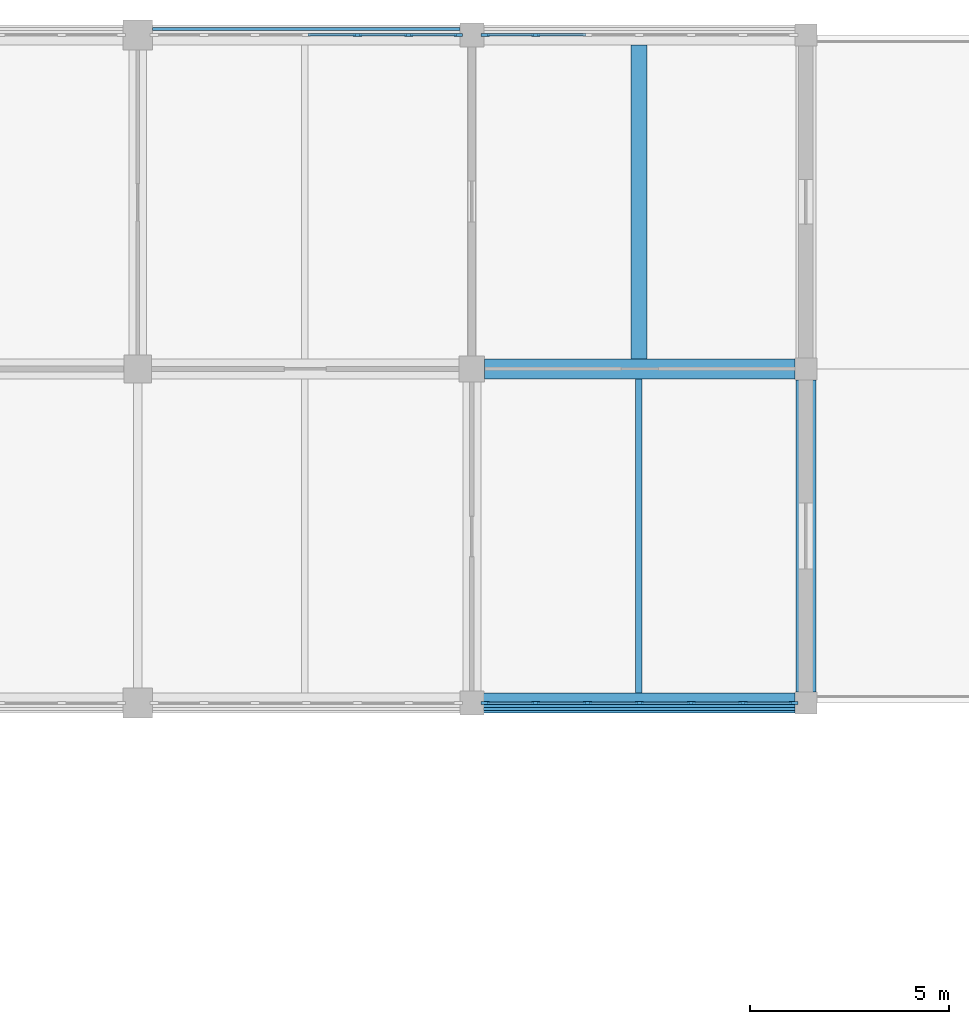
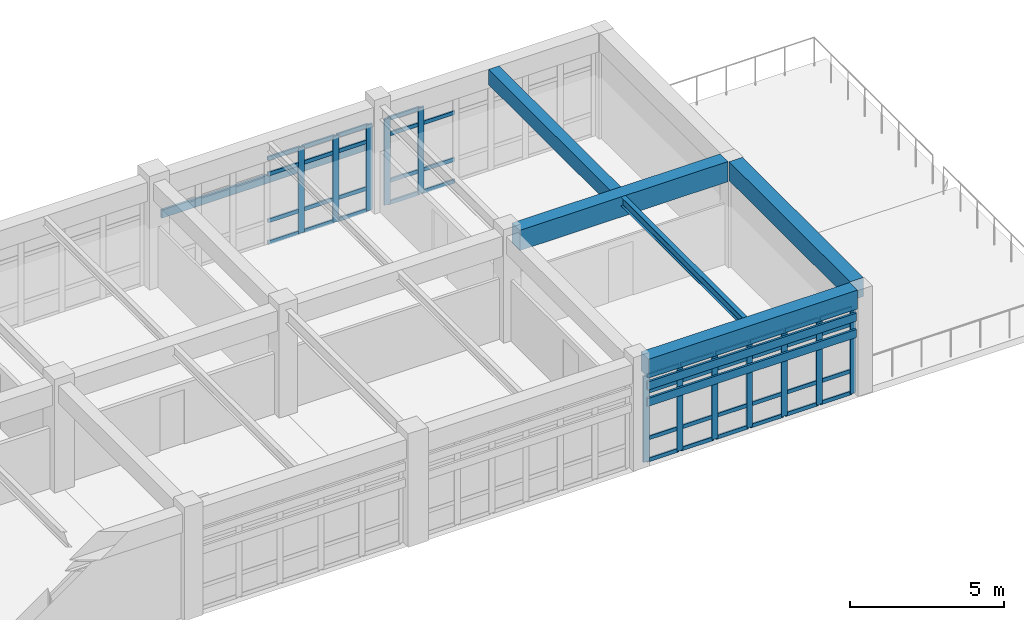
# One storey, part 56 of 99: 58 members, 5 beams, 3 elements without a shape of their own.
"""IFC4 building model written with IfcOpenShell, lengths in metres."""

from ifc_helpers import new_model, si_unit, direction, frame, origin, origin_2d, place, context, subcontext, project, spatial, rectangle, i_section, extrude, material, layer, layer_set, material_profile, profile_set, type_object, element, aggregate, save


model = new_model("IFC4")

# Units and contexts
model_context = context("Model", 3, precision=1e-05, world=origin(), true_north=direction((0.0, 1.0)))
body_context = subcontext(model_context, "Body", "Model", "MODEL_VIEW")
ifc_project = project(units=[si_unit("LENGTHUNIT", "METRE"), si_unit("AREAUNIT", "SQUARE_METRE"), si_unit("VOLUMEUNIT", "CUBIC_METRE"), si_unit("PLANEANGLEUNIT", "RADIAN"), si_unit("MASSUNIT", "GRAM", prefix="KILO")], contexts=[model_context])

# Site, building, storey
site_placement = place(None, origin())
site = spatial("IfcSite", under=ifc_project, at=site_placement, CompositionType="ELEMENT")
building_placement = place(site_placement, origin())
building = spatial("IfcBuilding", under=site, at=building_placement, Name="Porcellanite Civic Hall", CompositionType="ELEMENT")
storey_placement = place(building_placement, frame((0.0, 0.0, 5.760009765625)))
storey = spatial("IfcBuildingStorey", under=building, at=storey_placement, Name="L01", CompositionType="ELEMENT", Elevation=5.760009765625)

# Beams
ifc_material_1 = material(Name="Concrete N50 (50 MPa)", Category="concrete")
ifc_material_profile_1 = material_profile(ifc_material_1, rectangle(XDim=0.39990234375, YDim=0.60009765625, at=origin_2d()), Name="RC-400x600")
ifc_profile_set_1 = profile_set([ifc_material_profile_1], Name="Concrete N50 (50 MPa)")
beam_type_1 = type_object("IfcBeamType", Name="BM-RC600", PredefinedType="JOIST", material=ifc_profile_set_1)
beam_1_placement = place(storey_placement, frame((163.800048828125, 109.449462890625, 3.89990234375), z_axis=(0.0, 1.0, 0.0), x_axis=(-1.0, 0.0, 0.0)))
element("IfcBeam", 1, at=beam_1_placement, inside=storey, type_object=beam_type_1, Name="Secondary joist L01 20-14", PredefinedType="JOIST", context=body_context, shape_type="SweptSolid", body=[
    extrude(rectangle(XDim=0.39990234375, YDim=0.60009765625, at=origin_2d()), origin(), (0.0, 0.0, 1.0), 7.901123046875),
])
ifc_material_2 = material(Name="Concrete N50 (50 MPa)", Category="concrete")
ifc_material_profile_2 = material_profile(ifc_material_2, rectangle(XDim=0.5, YDim=0.75, at=origin_2d()), Name="RC-500x750")
ifc_profile_set_2 = profile_set([ifc_material_profile_2], Name="Concrete N50 (50 MPa)")
beam_type_2 = type_object("IfcBeamType", Name="BM-RC750", PredefinedType="SPANDREL", material=ifc_profile_set_2)
beam_2_placement = place(storey_placement, frame((159.8994140625, 100.800048828125, 3.824951171875), z_axis=(1.0, 0.0, 0.0), x_axis=(0.0, 1.0, 0.0)))
element("IfcBeam", 2, at=beam_2_placement, inside=storey, type_object=beam_type_2, Name="Beam X L01 20-13", PredefinedType="SPANDREL", context=body_context, shape_type="SweptSolid", body=[
    extrude(rectangle(XDim=0.5, YDim=0.75, at=origin_2d()), origin(), (0.0, 0.0, 1.0), 7.826171875),
])
beam_3_placement = place(storey_placement, frame((168.0, 101.074462890625, 3.824951171875), z_axis=(0.0, 1.0, 0.0), x_axis=(-1.0, 0.0, 0.0)))
element("IfcBeam", 3, at=beam_3_placement, inside=storey, type_object=beam_type_2, Name="Beam Y L01 21-13", PredefinedType="SPANDREL", context=body_context, shape_type="SweptSolid", body=[
    extrude(rectangle(XDim=0.5, YDim=0.75, at=origin_2d()), origin(), (0.0, 0.0, 1.0), 7.85107421875),
])
ifc_material_3 = material(Name="Concrete N50 (50 MPa)", Category="concrete")
ifc_material_profile_3 = material_profile(ifc_material_3, rectangle(XDim=0.5, YDim=0.800048828125, at=origin_2d()), Name="RC-500x800")
ifc_profile_set_3 = profile_set([ifc_material_profile_3], Name="Concrete N50 (50 MPa)")
beam_type_3 = type_object("IfcBeamType", Name="BM-RC800", PredefinedType="BEAM", material=ifc_profile_set_3)
beam_4_placement = place(storey_placement, frame((159.924560546875, 109.199951171875, 3.800048828125), z_axis=(1.0, 0.0, 0.0), x_axis=(0.0, 1.0, 0.0)))
element("IfcBeam", 4, at=beam_4_placement, inside=storey, type_object=beam_type_3, Name="Beam X L01 20-14", PredefinedType="BEAM", context=body_context, shape_type="SweptSolid", body=[
    extrude(rectangle(XDim=0.5, YDim=0.800048828125, at=origin_2d()), origin(), (0.0, 0.0, 1.0), 7.801025390625),
])

# Curtain wall, members
ifc_material_4 = material(Name="Anodised aluminium and solar laminated glass", Category="aluminium")
ifc_layer = layer(ifc_material_4, 0.179931640625)
ifc_layer_set = layer_set([ifc_layer], Name="Anodised aluminium and solar laminated glass")
curtain_wall_type = type_object("IfcCurtainWallType", Name="CW-SYS02", PredefinedType="NOTDEFINED", material=ifc_layer_set)
curtain_wall_1_placement = place(storey_placement, origin())
curtain_wall_1 = element("IfcCurtainWall", 5, at=curtain_wall_1_placement, inside=storey, type_object=curtain_wall_type, Name="Curtain wall CW-125", PredefinedType="NOTDEFINED")
ifc_material_5 = material(Name="Anodised aluminium 6063-T6", Category="aluminium")
ifc_material_profile_4 = material_profile(ifc_material_5, rectangle(XDim=0.074951171875, YDim=0.219970703125, at=origin_2d()), Name="AL-75x220")
ifc_profile_set_4 = profile_set([ifc_material_profile_4], Name="Anodised aluminium 6063-T6")
member_type_1 = type_object("IfcMemberType", Name="CWM-03", PredefinedType="MULLION", material=ifc_profile_set_4)
member_1_placement = place(storey_placement, frame((156.724609375, 117.60009765625, 0.0), z_axis=(0.0, 0.0, 1.0), x_axis=(0.0, 1.0, 0.0)))
member_1 = element("IfcMember", 6, at=member_1_placement, type_object=member_type_1, Name="CW-125 mullion 5", PredefinedType="MULLION", context=body_context, shape_type="SweptSolid", body=[
    extrude(rectangle(XDim=0.074951171875, YDim=0.219970703125, at=origin_2d()), origin(), (0.0, 0.0, 1.0), 3.39990234375),
])
member_2_placement = place(storey_placement, frame((158.01171875, 117.60009765625, 0.0), z_axis=(0.0, 0.0, 1.0), x_axis=(0.0, 1.0, 0.0)))
member_2 = element("IfcMember", 7, at=member_2_placement, type_object=member_type_1, Name="CW-125 mullion 6", PredefinedType="MULLION", context=body_context, shape_type="SweptSolid", body=[
    extrude(rectangle(XDim=0.074951171875, YDim=0.219970703125, at=origin_2d()), origin(), (0.0, 0.0, 1.0), 3.39990234375),
])
member_3_placement = place(storey_placement, frame((159.261474609375, 117.60009765625, 0.0), z_axis=(0.0, 0.0, 1.0), x_axis=(0.0, 1.0, 0.0)))
member_3 = element("IfcMember", 8, at=member_3_placement, type_object=member_type_1, Name="CW-125 mullion 7", PredefinedType="MULLION", context=body_context, shape_type="SweptSolid", body=[
    extrude(rectangle(XDim=0.074951171875, YDim=0.219970703125, at=origin_2d()), origin(), (0.0, 0.0, 1.0), 3.39990234375),
])

curtain_wall_2_placement = place(storey_placement, origin())
curtain_wall_2 = element("IfcCurtainWall", 9, at=curtain_wall_2_placement, inside=storey, type_object=curtain_wall_type, Name="Curtain wall CW-127", PredefinedType="NOTDEFINED")
member_4_placement = place(storey_placement, frame((167.6865234375, 100.800048828125, 0.0), z_axis=(0.0, 0.0, 1.0), x_axis=(0.0, -1.0, 0.0)))
member_4 = element("IfcMember", 10, at=member_4_placement, type_object=member_type_1, Name="CW-127 mullion 1", PredefinedType="MULLION", context=body_context, shape_type="SweptSolid", body=[
    extrude(rectangle(XDim=0.074951171875, YDim=0.219970703125, at=origin_2d()), origin(), (0.0, 0.0, 1.0), 3.39990234375),
])
member_5_placement = place(storey_placement, frame((166.420166015625, 100.800048828125, 0.0), z_axis=(0.0, 0.0, 1.0), x_axis=(0.0, -1.0, 0.0)))
member_5 = element("IfcMember", 11, at=member_5_placement, type_object=member_type_1, Name="CW-127 mullion 2", PredefinedType="MULLION", context=body_context, shape_type="SweptSolid", body=[
    extrude(rectangle(XDim=0.074951171875, YDim=0.219970703125, at=origin_2d()), origin(), (0.0, 0.0, 1.0), 3.39990234375),
])
member_6_placement = place(storey_placement, frame((165.116455078125, 100.800048828125, 0.0), z_axis=(0.0, 0.0, 1.0), x_axis=(0.0, -1.0, 0.0)))
member_6 = element("IfcMember", 12, at=member_6_placement, type_object=member_type_1, Name="CW-127 mullion 3", PredefinedType="MULLION", context=body_context, shape_type="SweptSolid", body=[
    extrude(rectangle(XDim=0.074951171875, YDim=0.219970703125, at=origin_2d()), origin(), (0.0, 0.0, 1.0), 3.39990234375),
])
member_7_placement = place(storey_placement, frame((163.8125, 100.800048828125, 0.0), z_axis=(0.0, 0.0, 1.0), x_axis=(0.0, -1.0, 0.0)))
member_7 = element("IfcMember", 13, at=member_7_placement, type_object=member_type_1, Name="CW-127 mullion 4", PredefinedType="MULLION", context=body_context, shape_type="SweptSolid", body=[
    extrude(rectangle(XDim=0.074951171875, YDim=0.219970703125, at=origin_2d()), origin(), (0.0, 0.0, 1.0), 3.39990234375),
])
member_8_placement = place(storey_placement, frame((162.508544921875, 100.800048828125, 0.0), z_axis=(0.0, 0.0, 1.0), x_axis=(0.0, -1.0, 0.0)))
member_8 = element("IfcMember", 14, at=member_8_placement, type_object=member_type_1, Name="CW-127 mullion 5", PredefinedType="MULLION", context=body_context, shape_type="SweptSolid", body=[
    extrude(rectangle(XDim=0.074951171875, YDim=0.219970703125, at=origin_2d()), origin(), (0.0, 0.0, 1.0), 3.39990234375),
])
member_9_placement = place(storey_placement, frame((161.204833984375, 100.800048828125, 0.0), z_axis=(0.0, 0.0, 1.0), x_axis=(0.0, -1.0, 0.0)))
member_9 = element("IfcMember", 15, at=member_9_placement, type_object=member_type_1, Name="CW-127 mullion 6", PredefinedType="MULLION", context=body_context, shape_type="SweptSolid", body=[
    extrude(rectangle(XDim=0.074951171875, YDim=0.219970703125, at=origin_2d()), origin(), (0.0, 0.0, 1.0), 3.39990234375),
])
member_10_placement = place(storey_placement, frame((159.9384765625, 100.800048828125, 0.0), z_axis=(0.0, 0.0, 1.0), x_axis=(0.0, -1.0, 0.0)))
member_10 = element("IfcMember", 16, at=member_10_placement, type_object=member_type_1, Name="CW-127 mullion 7", PredefinedType="MULLION", context=body_context, shape_type="SweptSolid", body=[
    extrude(rectangle(XDim=0.074951171875, YDim=0.219970703125, at=origin_2d()), origin(), (0.0, 0.0, 1.0), 3.39990234375),
])

curtain_wall_3_placement = place(storey_placement, origin())
curtain_wall_3 = element("IfcCurtainWall", 17, at=curtain_wall_3_placement, inside=storey, type_object=curtain_wall_type, Name="Curtain wall CW-128", PredefinedType="NOTDEFINED")
member_11_placement = place(storey_placement, frame((159.9384765625, 117.60009765625, 0.0), z_axis=(0.0, 0.0, 1.0), x_axis=(0.0, 1.0, 0.0)))
member_11 = element("IfcMember", 18, at=member_11_placement, type_object=member_type_1, Name="CW-128 mullion 1", PredefinedType="MULLION", context=body_context, shape_type="SweptSolid", body=[
    extrude(rectangle(XDim=0.074951171875, YDim=0.219970703125, at=origin_2d()), origin(), (0.0, 0.0, 1.0), 3.39990234375),
])
member_12_placement = place(storey_placement, frame((161.204833984375, 117.60009765625, 0.0), z_axis=(0.0, 0.0, 1.0), x_axis=(0.0, 1.0, 0.0)))
member_12 = element("IfcMember", 19, at=member_12_placement, type_object=member_type_1, Name="CW-128 mullion 2", PredefinedType="MULLION", context=body_context, shape_type="SweptSolid", body=[
    extrude(rectangle(XDim=0.074951171875, YDim=0.219970703125, at=origin_2d()), origin(), (0.0, 0.0, 1.0), 3.39990234375),
])

# Member
ifc_material_6 = material(Name="Anodised aluminium 6063-T6", Category="aluminium")
ifc_material_profile_5 = material_profile(ifc_material_6, rectangle(XDim=0.06494140625, YDim=0.14990234375, at=origin_2d()), Name="AL-65x150")
ifc_profile_set_5 = profile_set([ifc_material_profile_5], Name="Anodised aluminium 6063-T6")
member_type_2 = type_object("IfcMemberType", Name="CWT-02", PredefinedType="USERDEFINED", material=ifc_profile_set_5)
member_13_placement = place(storey_placement, frame((155.47509765625, 117.60009765625, 0.032470703125), z_axis=(1.0, 0.0, 0.0), x_axis=(0.0, 1.0, 0.0)))
member_13 = element("IfcMember", 20, at=member_13_placement, type_object=member_type_2, Name="CW-125 transom 4.1", ObjectType="TRANSOM", PredefinedType="USERDEFINED", context=body_context, shape_type="SweptSolid", body=[
    extrude(rectangle(XDim=0.06494140625, YDim=0.14990234375, at=origin_2d()), origin(), (0.0, 0.0, 1.0), 1.212158203125),
])

member_14_placement = place(storey_placement, frame((155.47509765625, 117.60009765625, 0.89990234375), z_axis=(1.0, 0.0, 0.0), x_axis=(0.0, 1.0, 0.0)))
member_14 = element("IfcMember", 21, at=member_14_placement, type_object=member_type_2, Name="CW-125 transom 4.2", ObjectType="TRANSOM", PredefinedType="USERDEFINED", context=body_context, shape_type="SweptSolid", body=[
    extrude(rectangle(XDim=0.06494140625, YDim=0.14990234375, at=origin_2d()), origin(), (0.0, 0.0, 1.0), 1.212158203125),
])

member_15_placement = place(storey_placement, frame((155.47509765625, 117.60009765625, 2.75), z_axis=(1.0, 0.0, 0.0), x_axis=(0.0, 1.0, 0.0)))
member_15 = element("IfcMember", 22, at=member_15_placement, type_object=member_type_2, Name="CW-125 transom 4.3", ObjectType="TRANSOM", PredefinedType="USERDEFINED", context=body_context, shape_type="SweptSolid", body=[
    extrude(rectangle(XDim=0.06494140625, YDim=0.14990234375, at=origin_2d()), origin(), (0.0, 0.0, 1.0), 1.212158203125),
])

member_16_placement = place(storey_placement, frame((155.47509765625, 117.60009765625, 3.367431640625), z_axis=(1.0, 0.0, 0.0), x_axis=(0.0, 1.0, 0.0)))
member_16 = element("IfcMember", 23, at=member_16_placement, type_object=member_type_2, Name="CW-125 transom 4.4", ObjectType="TRANSOM", PredefinedType="USERDEFINED", context=body_context, shape_type="SweptSolid", body=[
    extrude(rectangle(XDim=0.06494140625, YDim=0.14990234375, at=origin_2d()), origin(), (0.0, 0.0, 1.0), 1.212158203125),
])

member_17_placement = place(storey_placement, frame((156.76220703125, 117.60009765625, 0.032470703125), z_axis=(1.0, 0.0, 0.0), x_axis=(0.0, 1.0, 0.0)))
member_17 = element("IfcMember", 24, at=member_17_placement, type_object=member_type_2, Name="CW-125 transom 5.1", ObjectType="TRANSOM", PredefinedType="USERDEFINED", context=body_context, shape_type="SweptSolid", body=[
    extrude(rectangle(XDim=0.06494140625, YDim=0.14990234375, at=origin_2d()), origin(), (0.0, 0.0, 1.0), 1.212158203125),
])

member_18_placement = place(storey_placement, frame((156.76220703125, 117.60009765625, 0.89990234375), z_axis=(1.0, 0.0, 0.0), x_axis=(0.0, 1.0, 0.0)))
member_18 = element("IfcMember", 25, at=member_18_placement, type_object=member_type_2, Name="CW-125 transom 5.2", ObjectType="TRANSOM", PredefinedType="USERDEFINED", context=body_context, shape_type="SweptSolid", body=[
    extrude(rectangle(XDim=0.06494140625, YDim=0.14990234375, at=origin_2d()), origin(), (0.0, 0.0, 1.0), 1.212158203125),
])

member_19_placement = place(storey_placement, frame((156.76220703125, 117.60009765625, 2.75), z_axis=(1.0, 0.0, 0.0), x_axis=(0.0, 1.0, 0.0)))
member_19 = element("IfcMember", 26, at=member_19_placement, type_object=member_type_2, Name="CW-125 transom 5.3", ObjectType="TRANSOM", PredefinedType="USERDEFINED", context=body_context, shape_type="SweptSolid", body=[
    extrude(rectangle(XDim=0.06494140625, YDim=0.14990234375, at=origin_2d()), origin(), (0.0, 0.0, 1.0), 1.212158203125),
])

member_20_placement = place(storey_placement, frame((156.76220703125, 117.60009765625, 3.367431640625), z_axis=(1.0, 0.0, 0.0), x_axis=(0.0, 1.0, 0.0)))
member_20 = element("IfcMember", 27, at=member_20_placement, type_object=member_type_2, Name="CW-125 transom 5.4", ObjectType="TRANSOM", PredefinedType="USERDEFINED", context=body_context, shape_type="SweptSolid", body=[
    extrude(rectangle(XDim=0.06494140625, YDim=0.14990234375, at=origin_2d()), origin(), (0.0, 0.0, 1.0), 1.212158203125),
])

member_21_placement = place(storey_placement, frame((158.04931640625, 117.60009765625, 0.032470703125), z_axis=(1.0, 0.0, 0.0), x_axis=(0.0, 1.0, 0.0)))
member_21 = element("IfcMember", 28, at=member_21_placement, type_object=member_type_2, Name="CW-125 transom 6.1", ObjectType="TRANSOM", PredefinedType="USERDEFINED", context=body_context, shape_type="SweptSolid", body=[
    extrude(rectangle(XDim=0.06494140625, YDim=0.14990234375, at=origin_2d()), origin(), (0.0, 0.0, 1.0), 1.1748046875),
])

member_22_placement = place(storey_placement, frame((158.04931640625, 117.60009765625, 0.89990234375), z_axis=(1.0, 0.0, 0.0), x_axis=(0.0, 1.0, 0.0)))
member_22 = element("IfcMember", 29, at=member_22_placement, type_object=member_type_2, Name="CW-125 transom 6.2", ObjectType="TRANSOM", PredefinedType="USERDEFINED", context=body_context, shape_type="SweptSolid", body=[
    extrude(rectangle(XDim=0.06494140625, YDim=0.14990234375, at=origin_2d()), origin(), (0.0, 0.0, 1.0), 1.1748046875),
])

member_23_placement = place(storey_placement, frame((158.04931640625, 117.60009765625, 2.75), z_axis=(1.0, 0.0, 0.0), x_axis=(0.0, 1.0, 0.0)))
member_23 = element("IfcMember", 30, at=member_23_placement, type_object=member_type_2, Name="CW-125 transom 6.3", ObjectType="TRANSOM", PredefinedType="USERDEFINED", context=body_context, shape_type="SweptSolid", body=[
    extrude(rectangle(XDim=0.06494140625, YDim=0.14990234375, at=origin_2d()), origin(), (0.0, 0.0, 1.0), 1.1748046875),
])

member_24_placement = place(storey_placement, frame((158.04931640625, 117.60009765625, 3.367431640625), z_axis=(1.0, 0.0, 0.0), x_axis=(0.0, 1.0, 0.0)))
member_24 = element("IfcMember", 31, at=member_24_placement, type_object=member_type_2, Name="CW-125 transom 6.4", ObjectType="TRANSOM", PredefinedType="USERDEFINED", context=body_context, shape_type="SweptSolid", body=[
    extrude(rectangle(XDim=0.06494140625, YDim=0.14990234375, at=origin_2d()), origin(), (0.0, 0.0, 1.0), 1.1748046875),
])

aggregate(curtain_wall_1, [member_1, member_2, member_3, member_13, member_14, member_15, member_16, member_17, member_18, member_19, member_20, member_21, member_22, member_23, member_24])

member_25_placement = place(storey_placement, frame((167.64892578125, 100.800048828125, 0.032470703125), z_axis=(-1.0, 0.0, 0.0), x_axis=(0.0, -1.0, 0.0)))
member_25 = element("IfcMember", 32, at=member_25_placement, type_object=member_type_2, Name="CW-127 transom 1.1", ObjectType="TRANSOM", PredefinedType="USERDEFINED", context=body_context, shape_type="SweptSolid", body=[
    extrude(rectangle(XDim=0.06494140625, YDim=0.14990234375, at=origin_2d()), origin(), (0.0, 0.0, 1.0), 1.191162109375),
])

member_26_placement = place(storey_placement, frame((167.64892578125, 100.800048828125, 0.89990234375), z_axis=(-1.0, 0.0, 0.0), x_axis=(0.0, -1.0, 0.0)))
member_26 = element("IfcMember", 33, at=member_26_placement, type_object=member_type_2, Name="CW-127 transom 1.2", ObjectType="TRANSOM", PredefinedType="USERDEFINED", context=body_context, shape_type="SweptSolid", body=[
    extrude(rectangle(XDim=0.06494140625, YDim=0.14990234375, at=origin_2d()), origin(), (0.0, 0.0, 1.0), 1.191162109375),
])

member_27_placement = place(storey_placement, frame((167.64892578125, 100.800048828125, 2.75), z_axis=(-1.0, 0.0, 0.0), x_axis=(0.0, -1.0, 0.0)))
member_27 = element("IfcMember", 34, at=member_27_placement, type_object=member_type_2, Name="CW-127 transom 1.3", ObjectType="TRANSOM", PredefinedType="USERDEFINED", context=body_context, shape_type="SweptSolid", body=[
    extrude(rectangle(XDim=0.06494140625, YDim=0.14990234375, at=origin_2d()), origin(), (0.0, 0.0, 1.0), 1.191162109375),
])

member_28_placement = place(storey_placement, frame((167.64892578125, 100.800048828125, 3.367431640625), z_axis=(-1.0, 0.0, 0.0), x_axis=(0.0, -1.0, 0.0)))
member_28 = element("IfcMember", 35, at=member_28_placement, type_object=member_type_2, Name="CW-127 transom 1.4", ObjectType="TRANSOM", PredefinedType="USERDEFINED", context=body_context, shape_type="SweptSolid", body=[
    extrude(rectangle(XDim=0.06494140625, YDim=0.14990234375, at=origin_2d()), origin(), (0.0, 0.0, 1.0), 1.191162109375),
])

member_29_placement = place(storey_placement, frame((166.382568359375, 100.800048828125, 0.032470703125), z_axis=(-1.0, 0.0, 0.0), x_axis=(0.0, -1.0, 0.0)))
member_29 = element("IfcMember", 36, at=member_29_placement, type_object=member_type_2, Name="CW-127 transom 2.1", ObjectType="TRANSOM", PredefinedType="USERDEFINED", context=body_context, shape_type="SweptSolid", body=[
    extrude(rectangle(XDim=0.06494140625, YDim=0.14990234375, at=origin_2d()), origin(), (0.0, 0.0, 1.0), 1.228759765625),
])

member_30_placement = place(storey_placement, frame((166.382568359375, 100.800048828125, 0.89990234375), z_axis=(-1.0, 0.0, 0.0), x_axis=(0.0, -1.0, 0.0)))
member_30 = element("IfcMember", 37, at=member_30_placement, type_object=member_type_2, Name="CW-127 transom 2.2", ObjectType="TRANSOM", PredefinedType="USERDEFINED", context=body_context, shape_type="SweptSolid", body=[
    extrude(rectangle(XDim=0.06494140625, YDim=0.14990234375, at=origin_2d()), origin(), (0.0, 0.0, 1.0), 1.228759765625),
])

member_31_placement = place(storey_placement, frame((166.382568359375, 100.800048828125, 2.75), z_axis=(-1.0, 0.0, 0.0), x_axis=(0.0, -1.0, 0.0)))
member_31 = element("IfcMember", 38, at=member_31_placement, type_object=member_type_2, Name="CW-127 transom 2.3", ObjectType="TRANSOM", PredefinedType="USERDEFINED", context=body_context, shape_type="SweptSolid", body=[
    extrude(rectangle(XDim=0.06494140625, YDim=0.14990234375, at=origin_2d()), origin(), (0.0, 0.0, 1.0), 1.228759765625),
])

member_32_placement = place(storey_placement, frame((166.382568359375, 100.800048828125, 3.367431640625), z_axis=(-1.0, 0.0, 0.0), x_axis=(0.0, -1.0, 0.0)))
member_32 = element("IfcMember", 39, at=member_32_placement, type_object=member_type_2, Name="CW-127 transom 2.4", ObjectType="TRANSOM", PredefinedType="USERDEFINED", context=body_context, shape_type="SweptSolid", body=[
    extrude(rectangle(XDim=0.06494140625, YDim=0.14990234375, at=origin_2d()), origin(), (0.0, 0.0, 1.0), 1.228759765625),
])

member_33_placement = place(storey_placement, frame((165.078857421875, 100.800048828125, 0.032470703125), z_axis=(-1.0, 0.0, 0.0), x_axis=(0.0, -1.0, 0.0)))
member_33 = element("IfcMember", 40, at=member_33_placement, type_object=member_type_2, Name="CW-127 transom 3.1", ObjectType="TRANSOM", PredefinedType="USERDEFINED", context=body_context, shape_type="SweptSolid", body=[
    extrude(rectangle(XDim=0.06494140625, YDim=0.14990234375, at=origin_2d()), origin(), (0.0, 0.0, 1.0), 1.228759765625),
])

member_34_placement = place(storey_placement, frame((165.078857421875, 100.800048828125, 0.89990234375), z_axis=(-1.0, 0.0, 0.0), x_axis=(0.0, -1.0, 0.0)))
member_34 = element("IfcMember", 41, at=member_34_placement, type_object=member_type_2, Name="CW-127 transom 3.2", ObjectType="TRANSOM", PredefinedType="USERDEFINED", context=body_context, shape_type="SweptSolid", body=[
    extrude(rectangle(XDim=0.06494140625, YDim=0.14990234375, at=origin_2d()), origin(), (0.0, 0.0, 1.0), 1.228759765625),
])

member_35_placement = place(storey_placement, frame((165.078857421875, 100.800048828125, 2.75), z_axis=(-1.0, 0.0, 0.0), x_axis=(0.0, -1.0, 0.0)))
member_35 = element("IfcMember", 42, at=member_35_placement, type_object=member_type_2, Name="CW-127 transom 3.3", ObjectType="TRANSOM", PredefinedType="USERDEFINED", context=body_context, shape_type="SweptSolid", body=[
    extrude(rectangle(XDim=0.06494140625, YDim=0.14990234375, at=origin_2d()), origin(), (0.0, 0.0, 1.0), 1.228759765625),
])

member_36_placement = place(storey_placement, frame((165.078857421875, 100.800048828125, 3.367431640625), z_axis=(-1.0, 0.0, 0.0), x_axis=(0.0, -1.0, 0.0)))
member_36 = element("IfcMember", 43, at=member_36_placement, type_object=member_type_2, Name="CW-127 transom 3.4", ObjectType="TRANSOM", PredefinedType="USERDEFINED", context=body_context, shape_type="SweptSolid", body=[
    extrude(rectangle(XDim=0.06494140625, YDim=0.14990234375, at=origin_2d()), origin(), (0.0, 0.0, 1.0), 1.228759765625),
])

member_37_placement = place(storey_placement, frame((163.77490234375, 100.800048828125, 0.032470703125), z_axis=(-1.0, 0.0, 0.0), x_axis=(0.0, -1.0, 0.0)))
member_37 = element("IfcMember", 44, at=member_37_placement, type_object=member_type_2, Name="CW-127 transom 4.1", ObjectType="TRANSOM", PredefinedType="USERDEFINED", context=body_context, shape_type="SweptSolid", body=[
    extrude(rectangle(XDim=0.06494140625, YDim=0.14990234375, at=origin_2d()), origin(), (0.0, 0.0, 1.0), 1.228759765625),
])

member_38_placement = place(storey_placement, frame((163.77490234375, 100.800048828125, 0.89990234375), z_axis=(-1.0, 0.0, 0.0), x_axis=(0.0, -1.0, 0.0)))
member_38 = element("IfcMember", 45, at=member_38_placement, type_object=member_type_2, Name="CW-127 transom 4.2", ObjectType="TRANSOM", PredefinedType="USERDEFINED", context=body_context, shape_type="SweptSolid", body=[
    extrude(rectangle(XDim=0.06494140625, YDim=0.14990234375, at=origin_2d()), origin(), (0.0, 0.0, 1.0), 1.228759765625),
])

member_39_placement = place(storey_placement, frame((163.77490234375, 100.800048828125, 2.75), z_axis=(-1.0, 0.0, 0.0), x_axis=(0.0, -1.0, 0.0)))
member_39 = element("IfcMember", 46, at=member_39_placement, type_object=member_type_2, Name="CW-127 transom 4.3", ObjectType="TRANSOM", PredefinedType="USERDEFINED", context=body_context, shape_type="SweptSolid", body=[
    extrude(rectangle(XDim=0.06494140625, YDim=0.14990234375, at=origin_2d()), origin(), (0.0, 0.0, 1.0), 1.228759765625),
])

member_40_placement = place(storey_placement, frame((163.77490234375, 100.800048828125, 3.367431640625), z_axis=(-1.0, 0.0, 0.0), x_axis=(0.0, -1.0, 0.0)))
member_40 = element("IfcMember", 47, at=member_40_placement, type_object=member_type_2, Name="CW-127 transom 4.4", ObjectType="TRANSOM", PredefinedType="USERDEFINED", context=body_context, shape_type="SweptSolid", body=[
    extrude(rectangle(XDim=0.06494140625, YDim=0.14990234375, at=origin_2d()), origin(), (0.0, 0.0, 1.0), 1.228759765625),
])

member_41_placement = place(storey_placement, frame((162.47119140625, 100.800048828125, 0.032470703125), z_axis=(-1.0, 0.0, 0.0), x_axis=(0.0, -1.0, 0.0)))
member_41 = element("IfcMember", 48, at=member_41_placement, type_object=member_type_2, Name="CW-127 transom 5.1", ObjectType="TRANSOM", PredefinedType="USERDEFINED", context=body_context, shape_type="SweptSolid", body=[
    extrude(rectangle(XDim=0.06494140625, YDim=0.14990234375, at=origin_2d()), origin(), (0.0, 0.0, 1.0), 1.228759765625),
])

member_42_placement = place(storey_placement, frame((162.47119140625, 100.800048828125, 0.89990234375), z_axis=(-1.0, 0.0, 0.0), x_axis=(0.0, -1.0, 0.0)))
member_42 = element("IfcMember", 49, at=member_42_placement, type_object=member_type_2, Name="CW-127 transom 5.2", ObjectType="TRANSOM", PredefinedType="USERDEFINED", context=body_context, shape_type="SweptSolid", body=[
    extrude(rectangle(XDim=0.06494140625, YDim=0.14990234375, at=origin_2d()), origin(), (0.0, 0.0, 1.0), 1.228759765625),
])

member_43_placement = place(storey_placement, frame((162.47119140625, 100.800048828125, 2.75), z_axis=(-1.0, 0.0, 0.0), x_axis=(0.0, -1.0, 0.0)))
member_43 = element("IfcMember", 50, at=member_43_placement, type_object=member_type_2, Name="CW-127 transom 5.3", ObjectType="TRANSOM", PredefinedType="USERDEFINED", context=body_context, shape_type="SweptSolid", body=[
    extrude(rectangle(XDim=0.06494140625, YDim=0.14990234375, at=origin_2d()), origin(), (0.0, 0.0, 1.0), 1.228759765625),
])

member_44_placement = place(storey_placement, frame((162.47119140625, 100.800048828125, 3.367431640625), z_axis=(-1.0, 0.0, 0.0), x_axis=(0.0, -1.0, 0.0)))
member_44 = element("IfcMember", 51, at=member_44_placement, type_object=member_type_2, Name="CW-127 transom 5.4", ObjectType="TRANSOM", PredefinedType="USERDEFINED", context=body_context, shape_type="SweptSolid", body=[
    extrude(rectangle(XDim=0.06494140625, YDim=0.14990234375, at=origin_2d()), origin(), (0.0, 0.0, 1.0), 1.228759765625),
])

member_45_placement = place(storey_placement, frame((161.167236328125, 100.800048828125, 0.032470703125), z_axis=(-1.0, 0.0, 0.0), x_axis=(0.0, -1.0, 0.0)))
member_45 = element("IfcMember", 52, at=member_45_placement, type_object=member_type_2, Name="CW-127 transom 6.1", ObjectType="TRANSOM", PredefinedType="USERDEFINED", context=body_context, shape_type="SweptSolid", body=[
    extrude(rectangle(XDim=0.06494140625, YDim=0.14990234375, at=origin_2d()), origin(), (0.0, 0.0, 1.0), 1.191162109375),
])

member_46_placement = place(storey_placement, frame((161.167236328125, 100.800048828125, 0.89990234375), z_axis=(-1.0, 0.0, 0.0), x_axis=(0.0, -1.0, 0.0)))
member_46 = element("IfcMember", 53, at=member_46_placement, type_object=member_type_2, Name="CW-127 transom 6.2", ObjectType="TRANSOM", PredefinedType="USERDEFINED", context=body_context, shape_type="SweptSolid", body=[
    extrude(rectangle(XDim=0.06494140625, YDim=0.14990234375, at=origin_2d()), origin(), (0.0, 0.0, 1.0), 1.191162109375),
])

member_47_placement = place(storey_placement, frame((161.167236328125, 100.800048828125, 2.75), z_axis=(-1.0, 0.0, 0.0), x_axis=(0.0, -1.0, 0.0)))
member_47 = element("IfcMember", 54, at=member_47_placement, type_object=member_type_2, Name="CW-127 transom 6.3", ObjectType="TRANSOM", PredefinedType="USERDEFINED", context=body_context, shape_type="SweptSolid", body=[
    extrude(rectangle(XDim=0.06494140625, YDim=0.14990234375, at=origin_2d()), origin(), (0.0, 0.0, 1.0), 1.191162109375),
])

member_48_placement = place(storey_placement, frame((161.167236328125, 100.800048828125, 3.367431640625), z_axis=(-1.0, 0.0, 0.0), x_axis=(0.0, -1.0, 0.0)))
member_48 = element("IfcMember", 55, at=member_48_placement, type_object=member_type_2, Name="CW-127 transom 6.4", ObjectType="TRANSOM", PredefinedType="USERDEFINED", context=body_context, shape_type="SweptSolid", body=[
    extrude(rectangle(XDim=0.06494140625, YDim=0.14990234375, at=origin_2d()), origin(), (0.0, 0.0, 1.0), 1.191162109375),
])

aggregate(curtain_wall_2, [member_4, member_5, member_6, member_7, member_8, member_9, member_10, member_25, member_26, member_27, member_28, member_29, member_30, member_31, member_32, member_33, member_34, member_35, member_36, member_37, member_38, member_39, member_40, member_41, member_42, member_43, member_44, member_45, member_46, member_47, member_48])

member_49_placement = place(storey_placement, frame((159.97607421875, 117.60009765625, 0.032470703125), z_axis=(1.0, 0.0, 0.0), x_axis=(0.0, 1.0, 0.0)))
member_49 = element("IfcMember", 56, at=member_49_placement, type_object=member_type_2, Name="CW-128 transom 1.1", ObjectType="TRANSOM", PredefinedType="USERDEFINED", context=body_context, shape_type="SweptSolid", body=[
    extrude(rectangle(XDim=0.06494140625, YDim=0.14990234375, at=origin_2d()), origin(), (0.0, 0.0, 1.0), 1.191162109375),
])

member_50_placement = place(storey_placement, frame((159.97607421875, 117.60009765625, 0.89990234375), z_axis=(1.0, 0.0, 0.0), x_axis=(0.0, 1.0, 0.0)))
member_50 = element("IfcMember", 57, at=member_50_placement, type_object=member_type_2, Name="CW-128 transom 1.2", ObjectType="TRANSOM", PredefinedType="USERDEFINED", context=body_context, shape_type="SweptSolid", body=[
    extrude(rectangle(XDim=0.06494140625, YDim=0.14990234375, at=origin_2d()), origin(), (0.0, 0.0, 1.0), 1.191162109375),
])

member_51_placement = place(storey_placement, frame((159.97607421875, 117.60009765625, 2.75), z_axis=(1.0, 0.0, 0.0), x_axis=(0.0, 1.0, 0.0)))
member_51 = element("IfcMember", 58, at=member_51_placement, type_object=member_type_2, Name="CW-128 transom 1.3", ObjectType="TRANSOM", PredefinedType="USERDEFINED", context=body_context, shape_type="SweptSolid", body=[
    extrude(rectangle(XDim=0.06494140625, YDim=0.14990234375, at=origin_2d()), origin(), (0.0, 0.0, 1.0), 1.191162109375),
])

member_52_placement = place(storey_placement, frame((159.97607421875, 117.60009765625, 3.367431640625), z_axis=(1.0, 0.0, 0.0), x_axis=(0.0, 1.0, 0.0)))
member_52 = element("IfcMember", 59, at=member_52_placement, type_object=member_type_2, Name="CW-128 transom 1.4", ObjectType="TRANSOM", PredefinedType="USERDEFINED", context=body_context, shape_type="SweptSolid", body=[
    extrude(rectangle(XDim=0.06494140625, YDim=0.14990234375, at=origin_2d()), origin(), (0.0, 0.0, 1.0), 1.191162109375),
])

member_53_placement = place(storey_placement, frame((161.242431640625, 117.60009765625, 0.032470703125), z_axis=(1.0, 0.0, 0.0), x_axis=(0.0, 1.0, 0.0)))
member_53 = element("IfcMember", 60, at=member_53_placement, type_object=member_type_2, Name="CW-128 transom 2.1", ObjectType="TRANSOM", PredefinedType="USERDEFINED", context=body_context, shape_type="SweptSolid", body=[
    extrude(rectangle(XDim=0.06494140625, YDim=0.14990234375, at=origin_2d()), origin(), (0.0, 0.0, 1.0), 1.228759765625),
])

member_54_placement = place(storey_placement, frame((161.242431640625, 117.60009765625, 0.89990234375), z_axis=(1.0, 0.0, 0.0), x_axis=(0.0, 1.0, 0.0)))
member_54 = element("IfcMember", 61, at=member_54_placement, type_object=member_type_2, Name="CW-128 transom 2.2", ObjectType="TRANSOM", PredefinedType="USERDEFINED", context=body_context, shape_type="SweptSolid", body=[
    extrude(rectangle(XDim=0.06494140625, YDim=0.14990234375, at=origin_2d()), origin(), (0.0, 0.0, 1.0), 1.228759765625),
])

member_55_placement = place(storey_placement, frame((161.242431640625, 117.60009765625, 2.75), z_axis=(1.0, 0.0, 0.0), x_axis=(0.0, 1.0, 0.0)))
member_55 = element("IfcMember", 62, at=member_55_placement, type_object=member_type_2, Name="CW-128 transom 2.3", ObjectType="TRANSOM", PredefinedType="USERDEFINED", context=body_context, shape_type="SweptSolid", body=[
    extrude(rectangle(XDim=0.06494140625, YDim=0.14990234375, at=origin_2d()), origin(), (0.0, 0.0, 1.0), 1.228759765625),
])

aggregate(curtain_wall_3, [member_11, member_12, member_49, member_50, member_51, member_52, member_53, member_54, member_55])

# Beam
ifc_material_7 = material(Name="Steel Grade 350", Category="steel")
ifc_material_profile_6 = material_profile(ifc_material_7, i_section(OverallWidth=0.1708984375, OverallDepth=0.35595703125, WebThickness=0.00732421875, FlangeThickness=0.011474609375, FilletRadius=0.011474609375, at=origin_2d()), Name="360UB50.7")
ifc_profile_set_6 = profile_set([ifc_material_profile_6], Name="Steel Grade 350")
beam_type_4 = type_object("IfcBeamType", Name="JST-360UB51", PredefinedType="JOIST", material=ifc_profile_set_6)
beam_5_placement = place(storey_placement, frame((163.800048828125, 101.049560546875, 4.02197265625), z_axis=(0.0, 1.0, 0.0), x_axis=(-1.0, 0.0, 0.0)))
element("IfcBeam", 63, at=beam_5_placement, inside=storey, type_object=beam_type_4, Name="Secondary joist L01 20-13", PredefinedType="JOIST", context=body_context, shape_type="SweptSolid", body=[
    extrude(i_section(OverallWidth=0.1708984375, OverallDepth=0.35595703125, WebThickness=0.00732421875, FlangeThickness=0.011474609375, FilletRadius=0.011474609375, at=origin_2d()), origin(), (0.0, 0.0, 1.0), 7.90087890625),
])

# Members
ifc_material_8 = material(Name="Fluoropolymer bauxite-red aluminium 6063-T6", Category="aluminium")
ifc_material_profile_7 = material_profile(ifc_material_8, rectangle(XDim=0.080078125, YDim=0.320068359375, at=origin_2d()), Name="AL-80x320")
ifc_profile_set_7 = profile_set([ifc_material_profile_7], Name="Fluoropolymer bauxite-red aluminium 6063-T6")
member_type_3 = type_object("IfcMemberType", Name="LV-BLD03", PredefinedType="USERDEFINED", material=ifc_profile_set_7)
member_56_placement = place(storey_placement, frame((151.574462890625, 117.751953125, 2.449951171875), z_axis=(1.0, 0.0, 0.0), x_axis=(0.0, 1.0, 0.0)))
element("IfcMember", 64, at=member_56_placement, inside=storey, type_object=member_type_3, Name="Cyclone sunshade louvre L01 N 18-13 2", ObjectType="LOUVRE BLADE", PredefinedType="USERDEFINED", context=body_context, shape_type="SweptSolid", body=[
    extrude(rectangle(XDim=0.080078125, YDim=0.320068359375, at=origin_2d()), origin(), (0.0, 0.0, 1.0), 7.72607421875),
])
for number, where, z_axis, x_axis, name in (
    (65, (167.7255859375, 100.64794921875, 3.10009765625), (-1.0, 0.0, 0.0), (0.0, -1.0, 0.0), "Cyclone sunshade louvre L01 S 19-12 1"),
    (66, (167.7255859375, 100.64794921875, 2.449951171875), (-1.0, 0.0, 0.0), (0.0, -1.0, 0.0), "Cyclone sunshade louvre L01 S 19-12 2"),
):
    element("IfcMember", number, at=place(storey_placement, frame(where, z_axis=z_axis, x_axis=x_axis)), inside=storey, type_object=member_type_3, Name=name, ObjectType="LOUVRE BLADE", PredefinedType="USERDEFINED", context=body_context, shape_type="SweptSolid", body=[
        extrude(rectangle(XDim=0.080078125, YDim=0.320068359375, at=origin_2d()), origin(), (0.0, 0.0, 1.0), 7.826171875),
    ])

save(model, "model.ifc")
